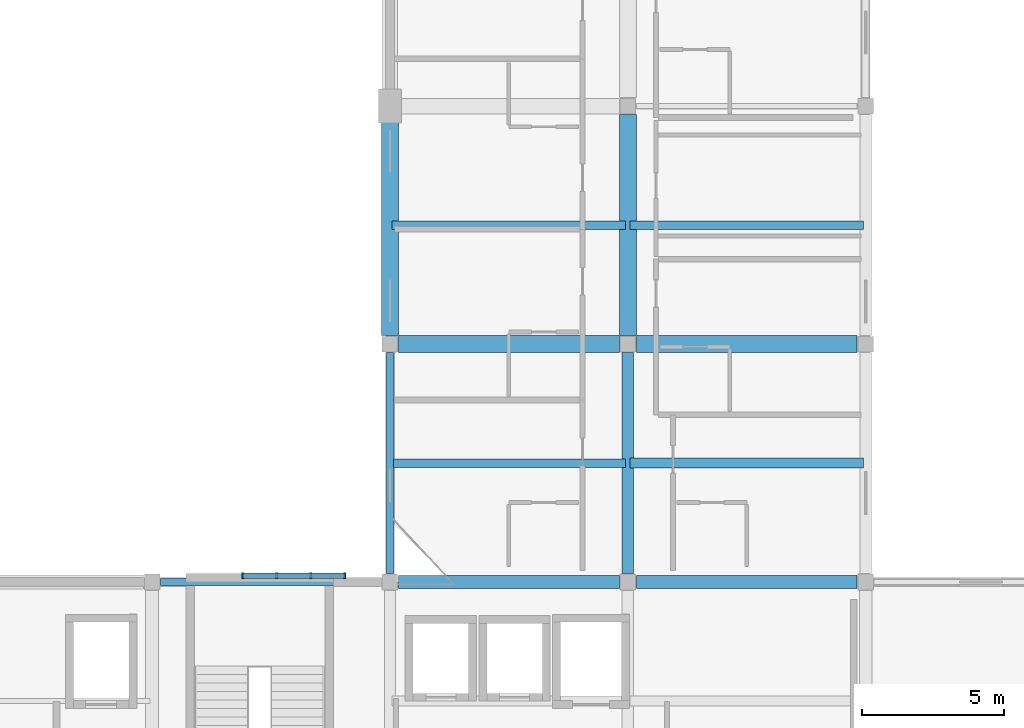
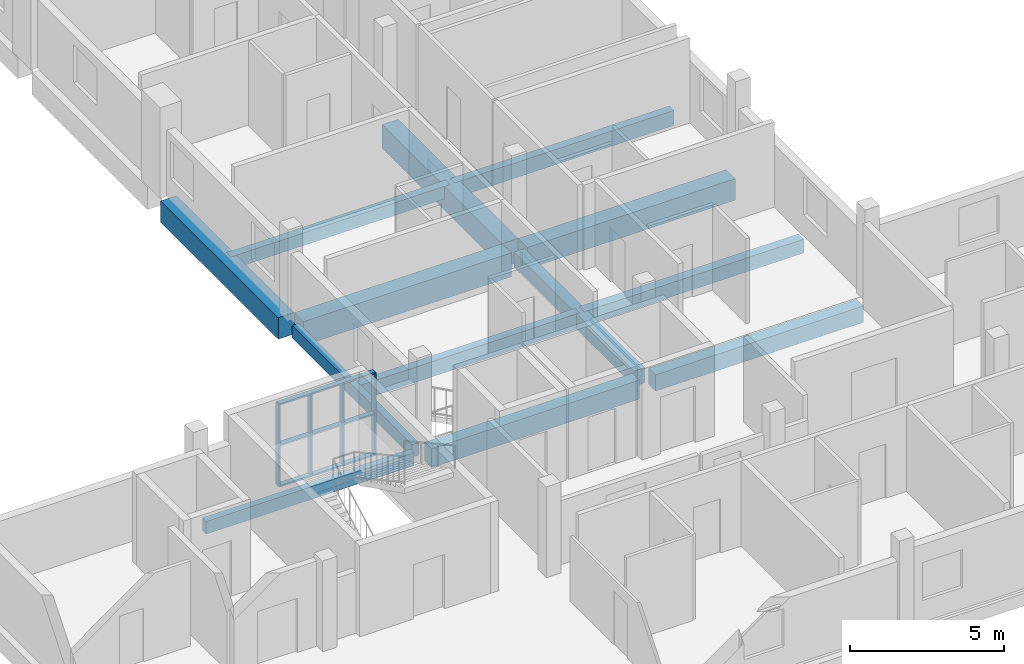
# One storey, part 2 of 26: 13 beams, 7 members, 1 element without a shape of its own.
"""IFC4 building model written with IfcOpenShell, lengths in metres."""

from ifc_helpers import new_model, si_unit, derived_unit, direction, frame, origin, origin_2d, place, context, subcontext, project, spatial, rectangle, extrude, material, material_profile, profile_set, type_object, element, aggregate, save


model = new_model("IFC4")

# Units and contexts
model_context = context("Model", 3, precision=1e-05, world=origin(), true_north=direction((0.0, 1.0)))
body_context = subcontext(model_context, "Body", "Model", "MODEL_VIEW")
ifc_project = project(units=[si_unit("LENGTHUNIT", "METRE"), si_unit("AREAUNIT", "SQUARE_METRE"), si_unit("VOLUMEUNIT", "CUBIC_METRE"), si_unit("PLANEANGLEUNIT", "RADIAN"), si_unit("MASSUNIT", "GRAM", prefix="KILO"), derived_unit("THERMALTRANSMITTANCEUNIT", [(si_unit("POWERUNIT", "WATT"), 1), (si_unit("LENGTHUNIT", "METRE"), -2), (si_unit("THERMODYNAMICTEMPERATUREUNIT", "KELVIN"), -1)])], contexts=[model_context])

# Site, building, storey
site_placement = place(None, origin())
site = spatial("IfcSite", under=ifc_project, at=site_placement, CompositionType="ELEMENT")
building_placement = place(site_placement, origin())
building = spatial("IfcBuilding", under=site, at=building_placement, Name="Barrovel Congress Hotel", CompositionType="ELEMENT")
storey_placement = place(building_placement, frame((0.0, 0.0, 32.699951171875)))
storey = spatial("IfcBuildingStorey", under=building, at=storey_placement, Name="L08", CompositionType="ELEMENT", Elevation=32.699951171875)

# Beams
ifc_material_1 = material(Name="Concrete C40", Category="concrete")
ifc_material_profile_1 = material_profile(ifc_material_1, rectangle(XDim=0.25, YDim=0.5, at=origin_2d()), Name="RC250x500")
ifc_profile_set_1 = profile_set([ifc_material_profile_1], Name="Concrete C40")
beam_type_1 = type_object("IfcBeamType", Name="BM-RC250x500", PredefinedType="SPANDREL", material=ifc_profile_set_1)
for number, where, z_axis, x_axis, name in (
    (1, (25.5, 21.0, -0.469970703125), (1.0, 0.0, 0.0), (0.0, 1.0, 0.0), "BMX:L08:21.0:25.2-33.6"),
    (2, (33.60009765625, 21.300048828125, -0.469970703125), (0.0, 1.0, 0.0), (-1.0, 0.0, 0.0), "BMY:L08:33.6:21.0-29.4"),
):
    element("IfcBeam", number, at=place(storey_placement, frame(where, z_axis=z_axis, x_axis=x_axis)), inside=storey, type_object=beam_type_1, Name=name, PredefinedType="SPANDREL", context=body_context, shape_type="SweptSolid", body=[
        extrude(rectangle(XDim=0.25, YDim=0.5, at=origin_2d()), origin(), (0.0, 0.0, 1.0), 7.800048828125),
    ])
ifc_material_profile_2 = material_profile(ifc_material_1, rectangle(XDim=0.300048828125, YDim=0.5, at=origin_2d()), Name="RC300x500")
ifc_profile_set_2 = profile_set([ifc_material_profile_2], Name="Concrete C40")
beam_type_2 = type_object("IfcBeamType", Name="BM-RC300x500", PredefinedType="JOIST", material=ifc_profile_set_2)
beam_1_placement = place(storey_placement, frame((33.679931640625, 33.60009765625, -0.469970703125), z_axis=(1.0, 0.0, 0.0), x_axis=(0.0, 1.0, 0.0)))
element("IfcBeam", 3, at=beam_1_placement, inside=storey, type_object=beam_type_2, Name="JST:L08:33.6:33.6", PredefinedType="JOIST", context=body_context, shape_type="SweptSolid", body=[
    extrude(rectangle(XDim=0.300048828125, YDim=0.5, at=origin_2d()), origin(), (0.0, 0.0, 1.0), 8.239990234375),
])
ifc_material_profile_3 = material_profile(ifc_material_1, rectangle(XDim=0.300048828125, YDim=0.60009765625, at=origin_2d()), Name="RC300x600")
ifc_profile_set_3 = profile_set([ifc_material_profile_3], Name="Concrete C40")
beam_type_3 = type_object("IfcBeamType", Name="BM-RC300x600", PredefinedType="JOIST", material=ifc_profile_set_3)
for number, where, z_axis, x_axis, name in (
    (4, (33.679931640625, 25.199951171875, -0.52001953125), (1.0, 0.0, 0.0), (0.0, 1.0, 0.0), "JST:L08:33.6:25.2"),
    (5, (42.080078125, 33.60009765625, -0.52001953125), (1.0, 0.0, 0.0), (0.0, 1.0, 0.0), "JST:L08:42.0:33.6"),
):
    element("IfcBeam", number, at=place(storey_placement, frame(where, z_axis=z_axis, x_axis=x_axis)), inside=storey, type_object=beam_type_3, Name=name, PredefinedType="JOIST", context=body_context, shape_type="SweptSolid", body=[
        extrude(rectangle(XDim=0.300048828125, YDim=0.60009765625, at=origin_2d()), origin(), (0.0, 0.0, 1.0), 8.239990234375),
    ])
ifc_material_profile_4 = material_profile(ifc_material_1, rectangle(XDim=0.35009765625, YDim=0.550048828125, at=origin_2d()), Name="RC350x550")
ifc_profile_set_4 = profile_set([ifc_material_profile_4], Name="Concrete C40")
beam_type_4 = type_object("IfcBeamType", Name="BM-RC350x550", PredefinedType="JOIST", material=ifc_profile_set_4)
beam_2_placement = place(storey_placement, frame((42.080078125, 25.199951171875, -0.494873046875), z_axis=(1.0, 0.0, 0.0), x_axis=(0.0, 1.0, 0.0)))
element("IfcBeam", 6, at=beam_2_placement, inside=storey, type_object=beam_type_4, Name="JST:L08:42.0:25.2", PredefinedType="JOIST", context=body_context, shape_type="SweptSolid", body=[
    extrude(rectangle(XDim=0.35009765625, YDim=0.550048828125, at=origin_2d()), origin(), (0.0, 0.0, 1.0), 8.239990234375),
])
ifc_material_profile_5 = material_profile(ifc_material_1, rectangle(XDim=0.39990234375, YDim=0.60009765625, at=origin_2d()), Name="RC400x600")
ifc_profile_set_5 = profile_set([ifc_material_profile_5], Name="Concrete C40")
beam_type_5 = type_object("IfcBeamType", Name="BM-RC400x600", PredefinedType="BEAM", material=ifc_profile_set_5)
beam_3_placement = place(storey_placement, frame((42.0, 21.300048828125, -0.52001953125), z_axis=(0.0, 1.0, 0.0), x_axis=(-1.0, 0.0, 0.0)))
element("IfcBeam", 7, at=beam_3_placement, inside=storey, type_object=beam_type_5, Name="BMY:L08:42.0:21.0-29.4", PredefinedType="BEAM", context=body_context, shape_type="SweptSolid", body=[
    extrude(rectangle(XDim=0.39990234375, YDim=0.60009765625, at=origin_2d()), origin(), (0.0, 0.0, 1.0), 7.800048828125),
])
ifc_material_profile_6 = material_profile(ifc_material_1, rectangle(XDim=0.449951171875, YDim=0.64990234375, at=origin_2d()), Name="RC450x650")
ifc_profile_set_6 = profile_set([ifc_material_profile_6], Name="Concrete C40")
beam_type_6 = type_object("IfcBeamType", Name="BM-RC450x650", PredefinedType="BEAM", material=ifc_profile_set_6)
beam_4_placement = place(storey_placement, frame((42.300048828125, 21.0, -0.544921875), z_axis=(1.0, 0.0, 0.0), x_axis=(0.0, 1.0, 0.0)))
element("IfcBeam", 8, at=beam_4_placement, inside=storey, type_object=beam_type_6, Name="BMX:L08:21.0:42.0-50.4", PredefinedType="BEAM", context=body_context, shape_type="SweptSolid", body=[
    extrude(rectangle(XDim=0.449951171875, YDim=0.64990234375, at=origin_2d()), origin(), (0.0, 0.0, 1.0), 7.800048828125),
])
ifc_material_profile_7 = material_profile(ifc_material_1, rectangle(XDim=0.449951171875, YDim=0.75, at=origin_2d()), Name="RC450x750")
ifc_profile_set_7 = profile_set([ifc_material_profile_7], Name="Concrete C40")
beam_type_7 = type_object("IfcBeamType", Name="BM-RC450x750", PredefinedType="BEAM", material=ifc_profile_set_7)
beam_5_placement = place(storey_placement, frame((33.89990234375, 21.0, -0.594970703125), z_axis=(1.0, 0.0, 0.0), x_axis=(0.0, 1.0, 0.0)))
element("IfcBeam", 9, at=beam_5_placement, inside=storey, type_object=beam_type_7, Name="BMX:L08:21.0:33.6-42.0", PredefinedType="BEAM", context=body_context, shape_type="SweptSolid", body=[
    extrude(rectangle(XDim=0.449951171875, YDim=0.75, at=origin_2d()), origin(), (0.0, 0.0, 1.0), 7.800048828125),
])
ifc_material_profile_8 = material_profile(ifc_material_1, rectangle(XDim=0.60009765625, YDim=0.85009765625, at=origin_2d()), Name="RC600x850")
ifc_profile_set_8 = profile_set([ifc_material_profile_8], Name="Concrete C40")
beam_type_8 = type_object("IfcBeamType", Name="BM-RC600x850", PredefinedType="BEAM", material=ifc_profile_set_8)
beam_6_placement = place(storey_placement, frame((42.300048828125, 29.39990234375, -0.64501953125), z_axis=(1.0, 0.0, 0.0), x_axis=(0.0, 1.0, 0.0)))
element("IfcBeam", 10, at=beam_6_placement, inside=storey, type_object=beam_type_8, Name="BMX:L08:29.4:42.0-50.4", PredefinedType="BEAM", context=body_context, shape_type="SweptSolid", body=[
    extrude(rectangle(XDim=0.60009765625, YDim=0.85009765625, at=origin_2d()), origin(), (0.0, 0.0, 1.0), 7.800048828125),
])
beam_7_placement = place(storey_placement, frame((33.60009765625, 29.699951171875, -0.64501953125), z_axis=(0.0, 1.0, 0.0), x_axis=(-1.0, 0.0, 0.0)))
element("IfcBeam", 11, at=beam_7_placement, inside=storey, type_object=beam_type_8, Name="BMY:L08:33.6:29.4-37.8", PredefinedType="BEAM", context=body_context, shape_type="SweptSolid", body=[
    extrude(rectangle(XDim=0.60009765625, YDim=0.85009765625, at=origin_2d()), origin(), (0.0, 0.0, 1.0), 7.650146484375),
])
ifc_material_profile_9 = material_profile(ifc_material_1, rectangle(XDim=0.60009765625, YDim=0.949951171875, at=origin_2d()), Name="RC600x950")
ifc_profile_set_9 = profile_set([ifc_material_profile_9], Name="Concrete C40")
beam_type_9 = type_object("IfcBeamType", Name="BM-RC600x950", PredefinedType="BEAM", material=ifc_profile_set_9)
for number, where, z_axis, x_axis, name in (
    (12, (33.89990234375, 29.39990234375, -0.695068359375), (1.0, 0.0, 0.0), (0.0, 1.0, 0.0), "BMX:L08:29.4:33.6-42.0"),
    (13, (42.0, 29.699951171875, -0.695068359375), (0.0, 1.0, 0.0), (-1.0, 0.0, 0.0), "BMY:L08:42.0:29.4-37.8"),
):
    element("IfcBeam", number, at=place(storey_placement, frame(where, z_axis=z_axis, x_axis=x_axis)), inside=storey, type_object=beam_type_9, Name=name, PredefinedType="BEAM", context=body_context, shape_type="SweptSolid", body=[
        extrude(rectangle(XDim=0.60009765625, YDim=0.949951171875, at=origin_2d()), origin(), (0.0, 0.0, 1.0), 7.800048828125),
    ])

# Curtain wall, members
ifc_material_2 = material(Name="Anodised Aluminium Alloy 6063-T6", Category="aluminium")
curtain_wall_type = type_object("IfcCurtainWallType", Name="CW-UN-3600x3200", PredefinedType="USERDEFINED", material=ifc_material_2)
curtain_wall_placement = place(storey_placement, origin())
curtain_wall = element("IfcCurtainWall", 14, at=curtain_wall_placement, inside=storey, type_object=curtain_wall_type, Name="CW:L08:UN-3", ObjectType="UNITISED CURTAIN WALL", PredefinedType="USERDEFINED")
ifc_material_profile_10 = material_profile(ifc_material_2, rectangle(XDim=0.06494140625, YDim=0.219970703125, at=origin_2d()), Name="AL-M65x220")
ifc_profile_set_10 = profile_set([ifc_material_profile_10], Name="Anodised Aluminium Alloy 6063-T6")
member_type_1 = type_object("IfcMemberType", Name="CWM-AL-M65x220", PredefinedType="MULLION", material=ifc_profile_set_10)
member_1_placement = place(storey_placement, frame((28.39990234375, 21.219970703125, 0.0), z_axis=(0.0, 0.0, 1.0), x_axis=(1.0, 0.0, 0.0)))
member_1 = element("IfcMember", 15, at=member_1_placement, type_object=member_type_1, Name="CW:L08:UN-3:M0", PredefinedType="MULLION", context=body_context, shape_type="SweptSolid", body=[
    extrude(rectangle(XDim=0.06494140625, YDim=0.219970703125, at=origin_2d()), origin(), (0.0, 0.0, 1.0), 3.25),
])
member_2_placement = place(storey_placement, frame((29.60009765625, 21.219970703125, 0.0), z_axis=(0.0, 0.0, 1.0), x_axis=(1.0, 0.0, 0.0)))
member_2 = element("IfcMember", 16, at=member_2_placement, type_object=member_type_1, Name="CW:L08:UN-3:M1", PredefinedType="MULLION", context=body_context, shape_type="SweptSolid", body=[
    extrude(rectangle(XDim=0.06494140625, YDim=0.219970703125, at=origin_2d()), origin(), (0.0, 0.0, 1.0), 3.25),
])
member_3_placement = place(storey_placement, frame((30.800048828125, 21.219970703125, 0.0), z_axis=(0.0, 0.0, 1.0), x_axis=(1.0, 0.0, 0.0)))
member_3 = element("IfcMember", 17, at=member_3_placement, type_object=member_type_1, Name="CW:L08:UN-3:M2", PredefinedType="MULLION", context=body_context, shape_type="SweptSolid", body=[
    extrude(rectangle(XDim=0.06494140625, YDim=0.219970703125, at=origin_2d()), origin(), (0.0, 0.0, 1.0), 3.25),
])
member_4_placement = place(storey_placement, frame((32.0, 21.219970703125, 0.0), z_axis=(0.0, 0.0, 1.0), x_axis=(1.0, 0.0, 0.0)))
member_4 = element("IfcMember", 18, at=member_4_placement, type_object=member_type_1, Name="CW:L08:UN-3:M3", PredefinedType="MULLION", context=body_context, shape_type="SweptSolid", body=[
    extrude(rectangle(XDim=0.06494140625, YDim=0.219970703125, at=origin_2d()), origin(), (0.0, 0.0, 1.0), 3.25),
])
ifc_material_profile_11 = material_profile(ifc_material_2, rectangle(XDim=0.179931640625, YDim=0.06494140625, at=origin_2d()), Name="AL-T65x180")
ifc_profile_set_11 = profile_set([ifc_material_profile_11], Name="Anodised Aluminium Alloy 6063-T6")
member_type_2 = type_object("IfcMemberType", Name="CWT-AL-T65x180", PredefinedType="USERDEFINED", material=ifc_profile_set_11)
member_5_placement = place(storey_placement, frame((28.39990234375, 21.219970703125, 0.0), z_axis=(1.0, 0.0, 0.0), x_axis=(0.0, 1.0, 0.0)))
member_5 = element("IfcMember", 19, at=member_5_placement, type_object=member_type_2, Name="CW:L08:UN-3:T0", ObjectType="TRANSOM", PredefinedType="USERDEFINED", context=body_context, shape_type="SweptSolid", body=[
    extrude(rectangle(XDim=0.179931640625, YDim=0.06494140625, at=origin_2d()), origin(), (0.0, 0.0, 1.0), 3.60009765625),
])
member_6_placement = place(storey_placement, frame((28.39990234375, 21.219970703125, 1.625), z_axis=(1.0, 0.0, 0.0), x_axis=(0.0, 1.0, 0.0)))
member_6 = element("IfcMember", 20, at=member_6_placement, type_object=member_type_2, Name="CW:L08:UN-3:T1", ObjectType="TRANSOM", PredefinedType="USERDEFINED", context=body_context, shape_type="SweptSolid", body=[
    extrude(rectangle(XDim=0.179931640625, YDim=0.06494140625, at=origin_2d()), origin(), (0.0, 0.0, 1.0), 3.60009765625),
])
member_7_placement = place(storey_placement, frame((28.39990234375, 21.219970703125, 3.25), z_axis=(1.0, 0.0, 0.0), x_axis=(0.0, 1.0, 0.0)))
member_7 = element("IfcMember", 21, at=member_7_placement, type_object=member_type_2, Name="CW:L08:UN-3:T2", ObjectType="TRANSOM", PredefinedType="USERDEFINED", context=body_context, shape_type="SweptSolid", body=[
    extrude(rectangle(XDim=0.179931640625, YDim=0.06494140625, at=origin_2d()), origin(), (0.0, 0.0, 1.0), 3.60009765625),
])
aggregate(curtain_wall, [member_1, member_2, member_3, member_4, member_5, member_6, member_7])

save(model, "model.ifc")
